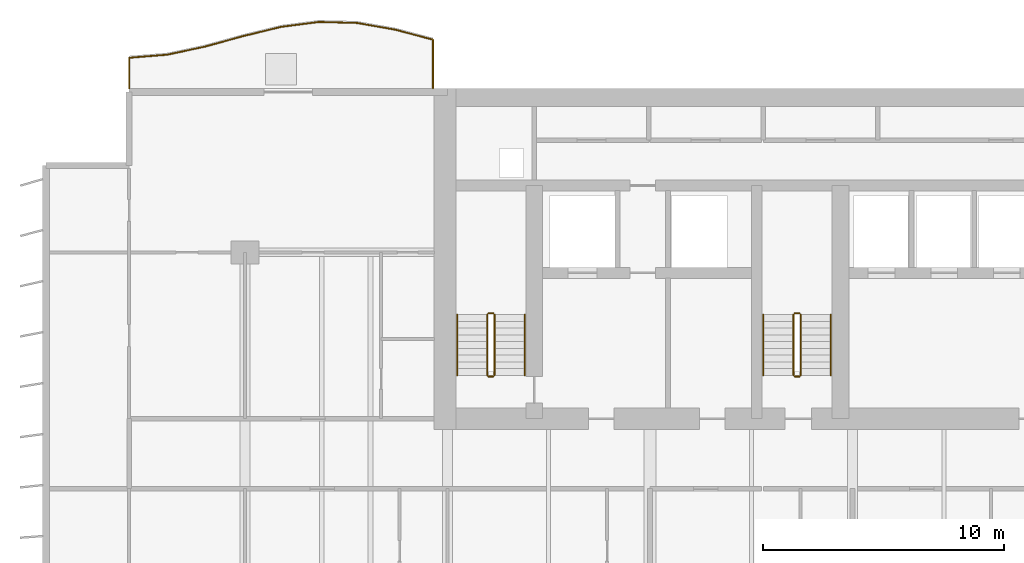
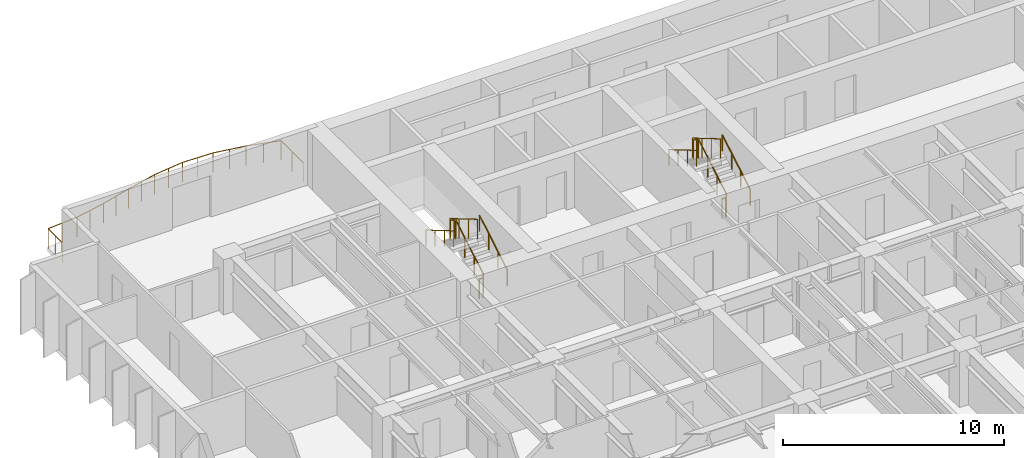
# One storey, part 16 of 18: 13 railings.
"""IFC4 building model written with IfcOpenShell, lengths in metres."""

import ifcopenshell
import ifcopenshell.guid

model = None  # the IFC model being written
_history = None  # IfcOwnerHistory: only IFC2X3 demands one
_inside = {}  # id of a spatial element -> (the spatial element, [elements in it])
_under = {}  # id of a project, library or spatial element -> (it, [spatial elements below it])
_declared = {}  # id of a project -> (the project, [libraries it declares])
_typed = {}  # id of a type object -> (the type object, [elements of that type])
_made_of = {}  # id of a material, layer set ... -> (it, [elements and type objects made of it])


def new_model(schema):
    """Start an empty IFC model of exactly this schema.

    Asked for "IFC4X3", IfcOpenShell would pick the latest addendum, in which some entities
    have other attributes; the version numbers below select the first issue.
    IFC2X3 requires an IfcOwnerHistory on every rooted entity: one is made here for all.
    """
    global model, _history
    if schema == "IFC4X3":
        model = ifcopenshell.file(schema_version=(4, 3, 0, 0))
    else:
        model = ifcopenshell.file(schema=schema)
    _inside.clear()
    _under.clear()
    _declared.clear()
    _typed.clear()
    _made_of.clear()
    _history = None
    if model.schema == "IFC2X3":
        org = make("IfcOrganization", Name="unknown")
        user = make(
            "IfcPersonAndOrganization",
            ThePerson=make("IfcPerson", FamilyName="unknown"),
            TheOrganization=org,
        )
        app = make(
            "IfcApplication",
            ApplicationDeveloper=org,
            Version="unknown",
            ApplicationFullName="unknown",
            ApplicationIdentifier="unknown",
        )
        _history = make(
            "IfcOwnerHistory",
            OwningUser=user,
            OwningApplication=app,
            ChangeAction="ADDED",
            CreationDate=0,
        )
    return model


def make(cls, **values):
    """One entity of the class cls with the attributes given. An attribute that is None is left unset."""
    return model.create_entity(
        cls, **{name: value for name, value in values.items() if value is not None}
    )


def rooted(cls, **values):
    """An entity with a GlobalId (a new one), such as an element, a storey or a relation."""
    return make(cls, GlobalId=ifcopenshell.guid.new(), OwnerHistory=_history, **values)


def si_unit(unit_type, name, prefix=None):
    """IfcSIUnit, for example si_unit("LENGTHUNIT", "METRE", prefix="MILLI")."""
    return make("IfcSIUnit", UnitType=unit_type, Prefix=prefix, Name=name)


def assignment(units):
    """IfcUnitAssignment: the units of a project."""
    return None if units is None else make("IfcUnitAssignment", Units=units)


def point(xyz):
    """IfcCartesianPoint."""
    return None if xyz is None else make("IfcCartesianPoint", Coordinates=xyz)


def direction(xyz):
    """IfcDirection."""
    return None if xyz is None else make("IfcDirection", DirectionRatios=xyz)


def frame(location, z_axis=None, x_axis=None):
    """IfcAxis2Placement3D, a coordinate frame: its origin and axes. An axis left out is left unset."""
    return make(
        "IfcAxis2Placement3D",
        Location=point(location),
        Axis=direction(z_axis),
        RefDirection=direction(x_axis),
    )


def frame_2d(location, x_axis=None):
    """IfcAxis2Placement2D, a coordinate frame in the plane: its origin and x axis."""
    return make(
        "IfcAxis2Placement2D", Location=point(location), RefDirection=direction(x_axis)
    )


def origin():
    """The frame at (0, 0, 0) with its axes left unset."""
    return frame((0.0, 0.0, 0.0))


def origin_2d():
    """The frame at (0, 0) in the plane with its x axis left unset."""
    return frame_2d((0.0, 0.0))


def place(relative_to, where):
    """IfcLocalPlacement: puts the frame where relative to a parent placement (None: the world)."""
    return make(
        "IfcLocalPlacement", PlacementRelTo=relative_to, RelativePlacement=where
    )


def context(
    kind, dimensions, precision=None, world=None, true_north=None, identifier=None
):
    """IfcGeometricRepresentationContext, for example the 3D "Model" context."""
    return make(
        "IfcGeometricRepresentationContext",
        ContextIdentifier=identifier,
        ContextType=kind,
        CoordinateSpaceDimension=dimensions,
        Precision=precision,
        WorldCoordinateSystem=world,
        TrueNorth=true_north,
    )


def subcontext(parent, identifier, kind, view, scale=None):
    """IfcGeometricRepresentationSubContext, for example "Body" below "Model"."""
    return make(
        "IfcGeometricRepresentationSubContext",
        ContextIdentifier=identifier,
        ContextType=kind,
        ParentContext=parent,
        TargetScale=scale,
        TargetView=view,
    )


def project(units=None, contexts=None):
    """IfcProject with its units and contexts."""
    return rooted(
        "IfcProject",
        Name="project",
        RepresentationContexts=contexts,
        UnitsInContext=assignment(units),
    )


def spatial(cls, under=None, at=None, **own):
    """A site, building, storey or space (cls), placed at a placement, below another one or the project."""
    s = rooted(cls, ObjectPlacement=at, **own)
    if under is not None:
        _under.setdefault(under.id(), (under, []))[1].append(s)
    return s


def profile(cls, at=None, kind="AREA", **sizes):
    """A parametric profile (cls). Its sizes go by their IFC names, for example OverallWidth=200.0."""
    return make(cls, ProfileType=kind, Position=at, **sizes)


def circle(**sizes):
    """IfcCircleProfileDef."""
    return profile("IfcCircleProfileDef", **sizes)


def extrude(swept, where, along, depth):
    """IfcExtrudedAreaSolid: the profile swept, set in the frame where, extruded along a direction by depth."""
    return make(
        "IfcExtrudedAreaSolid",
        SweptArea=swept,
        Position=where,
        ExtrudedDirection=direction(along),
        Depth=depth,
    )


def shape(context_of_items, identifier, shape_type, items):
    """IfcShapeRepresentation: the items that make up one representation, for example the "Body"."""
    return make(
        "IfcShapeRepresentation",
        ContextOfItems=context_of_items,
        RepresentationIdentifier=identifier,
        RepresentationType=shape_type,
        Items=items,
    )


def material(Name=None, Category=None):
    """IfcMaterial."""
    return make("IfcMaterial", Name=Name, Category=Category)


def made_of(thing, what):
    """Note that an element or type object is made of a material, layer set ...; save() writes the relation."""
    if what is not None:
        _made_of.setdefault(what.id(), (what, []))[1].append(thing)
    return thing


def type_object(cls, material=None, **own):
    """A type object (cls), such as IfcWallType, which elements share."""
    return made_of(rooted(cls, **own), material)


def element(
    cls,
    number,
    at=None,
    inside=None,
    cuts=None,
    type_object=None,
    material=None,
    context=None,
    identifier="Body",
    shape_type=None,
    held_by="IfcProductDefinitionShape",
    body=None,
    shapes=None,
    **own,
):
    """One element of the class cls, such as IfcWall. Its Tag is "e" and its number.

    at: its placement. inside: the storey or other place that contains it. cuts: it is an
    opening in that element (IfcRelVoidsElement). A single representation is given by context,
    identifier, shape_type and body (its items); several are given by shapes. held_by: the class
    of the entity that holds the representations. save() writes the other relations.
    """
    e = rooted(cls, Tag="e%d" % number, ObjectPlacement=at, **own)
    if body is not None:
        shapes = [shape(context, identifier, shape_type, body)]
    if shapes is not None:
        e.Representation = make(held_by, Representations=shapes)
    if inside is not None:
        _inside.setdefault(inside.id(), (inside, []))[1].append(e)
    if cuts is not None:
        rooted(
            "IfcRelVoidsElement", RelatingBuildingElement=cuts, RelatedOpeningElement=e
        )
    if type_object is not None:
        _typed.setdefault(type_object.id(), (type_object, []))[1].append(e)
    return made_of(e, material)


def aggregate(whole, parts):
    """IfcRelAggregates: a whole, such as a stair, and the parts it consists of."""
    return rooted("IfcRelAggregates", RelatingObject=whole, RelatedObjects=parts)


def save(model, path):
    """Write the relations noted so far, then the file.

    IfcRelAggregates (storeys below a building ...), IfcRelContainedInSpatialStructure (elements
    in a storey), IfcRelDefinesByType, IfcRelAssociatesMaterial and IfcRelDeclares: one each for
    every whole, place, type object, material and project.
    """
    for whole, parts in _under.values():
        aggregate(whole, parts)
    for where, things in _inside.values():
        rooted(
            "IfcRelContainedInSpatialStructure",
            RelatedElements=things,
            RelatingStructure=where,
        )
    for kind, things in _typed.values():
        rooted("IfcRelDefinesByType", RelatedObjects=things, RelatingType=kind)
    for what, things in _made_of.values():
        rooted("IfcRelAssociatesMaterial", RelatedObjects=things, RelatingMaterial=what)
    for by, libraries in _declared.values():
        rooted("IfcRelDeclares", RelatingContext=by, RelatedDefinitions=libraries)
    model.write(path)


model = new_model("IFC4")

# Units and contexts
model_context = context("Model", 3, precision=1e-05, world=origin(), true_north=direction((0.0, 1.0)))
body_context = subcontext(model_context, "Body", "Model", "MODEL_VIEW")
ifc_project = project(units=[si_unit("LENGTHUNIT", "METRE"), si_unit("AREAUNIT", "SQUARE_METRE"), si_unit("VOLUMEUNIT", "CUBIC_METRE"), si_unit("PLANEANGLEUNIT", "RADIAN"), si_unit("MASSUNIT", "GRAM", prefix="KILO")], contexts=[model_context])

# Site, building, storey
site_placement = place(None, origin())
site = spatial("IfcSite", under=ifc_project, at=site_placement, CompositionType="ELEMENT")
building_placement = place(site_placement, origin())
building = spatial("IfcBuilding", under=site, at=building_placement, Name="Caelmar Bay Residences", CompositionType="ELEMENT")
storey_placement = place(building_placement, frame((0.0, 0.0, 46.5)))
storey = spatial("IfcBuildingStorey", under=building, at=storey_placement, Name="L11", CompositionType="ELEMENT", Elevation=46.5)

# Railings
ifc_material_1 = material(Name="Anodised bronze handrail with laminated hurricane glass infill", Category="glass")
railing_type_1 = type_object("IfcRailingType", Name="RL-BAL-1100", PredefinedType="BALUSTRADE", material=ifc_material_1)
railing_1_placement = place(storey_placement, frame((17.699951171875, 50.60009765625, 0.0)))
element("IfcRailing", 1, at=railing_1_placement, inside=storey, type_object=railing_type_1, Name="L11 north_west Balcony Balustrade", PredefinedType="BALUSTRADE", context=body_context, shape_type="SweptSolid", body=[
    extrude(circle(Radius=0.02392578125, at=origin_2d()), frame((0.0, 0.0, 1.076171875), z_axis=(0.0, 1.0, 0.0), x_axis=(-1.0, 0.0, 0.0)), (0.0, 0.0, 1.0), 2.02001953125),
    extrude(circle(Radius=0.02392578125, at=origin_2d()), frame((0.0, 2.02001953125, 1.076171875), z_axis=(-0.96676517068, 0.255666002353, 0.0), x_axis=(-0.255666002353, -0.96676517068, 0.0)), (0.0, 0.0, 1.0), 1.629150390625),
    extrude(circle(Radius=0.02392578125, at=origin_2d()), frame((-1.574951171875, 2.4365234375, 1.076171875), z_axis=(-0.984950641335, 0.172835858935, 0.0), x_axis=(-0.172835858935, -0.984950641335, 0.0)), (0.0, 0.0, 1.0), 1.59912109375),
    extrude(circle(Radius=0.02392578125, at=origin_2d()), frame((-3.14990234375, 2.712890625, 1.076171875), z_axis=(-0.999632250239, 0.02711760096, 0.0), x_axis=(-0.02711760096, -0.999632250239, 0.0)), (0.0, 0.0, 1.0), 1.575439453125),
    extrude(circle(Radius=0.02392578125, at=origin_2d()), frame((-4.724853515625, 2.755615234375, 1.076171875), z_axis=(-0.991611548645, -0.129253768198, 0.0), x_axis=(0.129253768198, -0.991611548645, 0.0)), (0.0, 0.0, 1.0), 1.588623046875),
    extrude(circle(Radius=0.02392578125, at=origin_2d()), frame((-6.300048828125, 2.55029296875, 1.076171875), z_axis=(-0.971534712274, -0.236897241111, 0.0), x_axis=(0.236897241111, -0.971534712274, 0.0)), (0.0, 0.0, 1.0), 1.62109375),
    extrude(circle(Radius=0.02392578125, at=origin_2d()), frame((-7.875, 2.166259765625, 1.076171875), z_axis=(-0.964168126778, -0.265291958616, 0.0), x_axis=(0.265291958616, -0.964168126778, 0.0)), (0.0, 0.0, 1.0), 1.633544921875),
    extrude(circle(Radius=0.02392578125, at=origin_2d()), frame((-9.449951171875, 1.73291015625, 1.076171875), z_axis=(-0.977906557301, -0.209042496127, 0.0), x_axis=(0.209042496127, -0.977906557301, 0.0)), (0.0, 0.0, 1.0), 1.610595703125),
    extrude(circle(Radius=0.02392578125, at=origin_2d()), frame((-11.02490234375, 1.396240234375, 1.076171875), z_axis=(-0.99680396823, -0.079886475209, 0.0), x_axis=(0.079886475209, -0.99680396823, 0.0)), (0.0, 0.0, 1.0), 1.580078125),
    extrude(circle(Radius=0.02392578125, at=origin_2d()), frame((-12.599853515625, 1.27001953125, 1.076171875), z_axis=(0.0, -1.0, 0.0), x_axis=(1.0, 0.0, 0.0)), (0.0, 0.0, 1.0), 1.27001953125),
    extrude(circle(Radius=0.02099609375, at=origin_2d()), origin(), (0.0, 0.0, 1.0), 1.052001953125),
    extrude(circle(Radius=0.02099609375, at=origin_2d()), frame((0.0, 1.010009765625, 0.0)), (0.0, 0.0, 1.0), 1.052001953125),
    extrude(circle(Radius=0.02099609375, at=origin_2d()), frame((0.0, 2.02001953125, 0.0)), (0.0, 0.0, 1.0), 1.052001953125),
    extrude(circle(Radius=0.02099609375, at=origin_2d()), frame((-0.78759765625, 2.228271484375, 0.0)), (0.0, 0.0, 1.0), 1.052001953125),
    extrude(circle(Radius=0.02099609375, at=origin_2d()), frame((-1.574951171875, 2.4365234375, 0.0)), (0.0, 0.0, 1.0), 1.052001953125),
    extrude(circle(Radius=0.02099609375, at=origin_2d()), frame((-2.3623046875, 2.57470703125, 0.0)), (0.0, 0.0, 1.0), 1.052001953125),
    extrude(circle(Radius=0.02099609375, at=origin_2d()), frame((-3.14990234375, 2.712890625, 0.0)), (0.0, 0.0, 1.0), 1.052001953125),
    extrude(circle(Radius=0.02099609375, at=origin_2d()), frame((-3.9375, 2.734375, 0.0)), (0.0, 0.0, 1.0), 1.052001953125),
    extrude(circle(Radius=0.02099609375, at=origin_2d()), frame((-4.724853515625, 2.755615234375, 0.0)), (0.0, 0.0, 1.0), 1.052001953125),
    extrude(circle(Radius=0.02099609375, at=origin_2d()), frame((-5.512451171875, 2.65283203125, 0.0)), (0.0, 0.0, 1.0), 1.052001953125),
    extrude(circle(Radius=0.02099609375, at=origin_2d()), frame((-6.300048828125, 2.55029296875, 0.0)), (0.0, 0.0, 1.0), 1.052001953125),
    extrude(circle(Radius=0.02099609375, at=origin_2d()), frame((-7.08740234375, 2.3583984375, 0.0)), (0.0, 0.0, 1.0), 1.052001953125),
    extrude(circle(Radius=0.02099609375, at=origin_2d()), frame((-7.875, 2.166259765625, 0.0)), (0.0, 0.0, 1.0), 1.052001953125),
    extrude(circle(Radius=0.02099609375, at=origin_2d()), frame((-8.66259765625, 1.94970703125, 0.0)), (0.0, 0.0, 1.0), 1.052001953125),
    extrude(circle(Radius=0.02099609375, at=origin_2d()), frame((-9.449951171875, 1.73291015625, 0.0)), (0.0, 0.0, 1.0), 1.052001953125),
    extrude(circle(Radius=0.02099609375, at=origin_2d()), frame((-10.2373046875, 1.564453125, 0.0)), (0.0, 0.0, 1.0), 1.052001953125),
    extrude(circle(Radius=0.02099609375, at=origin_2d()), frame((-11.02490234375, 1.396240234375, 0.0)), (0.0, 0.0, 1.0), 1.052001953125),
    extrude(circle(Radius=0.02099609375, at=origin_2d()), frame((-11.8125, 1.3330078125, 0.0)), (0.0, 0.0, 1.0), 1.052001953125),
    extrude(circle(Radius=0.02099609375, at=origin_2d()), frame((-12.599853515625, 1.27001953125, 0.0)), (0.0, 0.0, 1.0), 1.052001953125),
    extrude(circle(Radius=0.02099609375, at=origin_2d()), frame((-12.599853515625, 0.635009765625, 0.0)), (0.0, 0.0, 1.0), 1.052001953125),
    extrude(circle(Radius=0.02099609375, at=origin_2d()), frame((-12.599853515625, 0.0, 0.0)), (0.0, 0.0, 1.0), 1.052001953125),
])
ifc_material_2 = material(Name="Painted galvanized steel stair guard 1100 mm", Category="steel")
railing_type_2 = type_object("IfcRailingType", Name="RL-GRD-1100", PredefinedType="GUARDRAIL", material=ifc_material_2)
railing_2_placement = place(storey_placement, frame((20.25, 38.699951171875, 0.1650390625)))
element("IfcRailing", 2, at=railing_2_placement, inside=storey, type_object=railing_type_2, Name="L11 ST1 stair guard 1", PredefinedType="GUARDRAIL", context=body_context, shape_type="SweptSolid", body=[
    extrude(circle(Radius=0.02392578125, at=origin_2d()), frame((0.0, 0.0, 1.076171875), z_axis=(0.0, 0.861560626758, 0.507654692109), x_axis=(-1.0, 0.0, 0.0)), (0.0, 0.0, 1.0), 2.925048828125),
    extrude(circle(Radius=0.02099609375, at=origin_2d()), origin(), (0.0, 0.0, 1.0), 1.052001953125),
    extrude(circle(Radius=0.02099609375, at=origin_2d()), frame((0.0, 0.840087890625, 0.494873046875)), (0.0, 0.0, 1.0), 1.052001953125),
    extrude(circle(Radius=0.02099609375, at=origin_2d()), frame((0.0, 1.679931640625, 0.989990234375)), (0.0, 0.0, 1.0), 1.052001953125),
    extrude(circle(Radius=0.02099609375, at=origin_2d()), frame((0.0, 2.52001953125, 1.48486328125)), (0.0, 0.0, 1.0), 1.052001953125),
])
railing_3_placement = place(storey_placement, frame((20.199951171875, 41.27001953125, 1.64990234375)))
element("IfcRailing", 3, at=railing_3_placement, inside=storey, type_object=railing_type_2, Name="L11 ST1 stair guard 2", PredefinedType="GUARDRAIL", context=body_context, shape_type="SweptSolid", body=[
    extrude(circle(Radius=0.02392578125, at=origin_2d()), frame((0.0, 0.0, 1.076171875), z_axis=(-1.0, 0.0, 0.0), x_axis=(0.0, -1.0, 0.0)), (0.0, 0.0, 1.0), 0.199951171875),
    extrude(circle(Radius=0.02099609375, at=origin_2d()), origin(), (0.0, 0.0, 1.0), 1.052001953125),
    extrude(circle(Radius=0.02099609375, at=origin_2d()), frame((-0.199951171875, 0.0, 0.0)), (0.0, 0.0, 1.0), 1.052001953125),
])
railing_4_placement = place(storey_placement, frame((19.949951171875, 41.219970703125, 1.81494140625)))
element("IfcRailing", 4, at=railing_4_placement, inside=storey, type_object=railing_type_2, Name="L11 ST1 stair guard 3", PredefinedType="GUARDRAIL", context=body_context, shape_type="SweptSolid", body=[
    extrude(circle(Radius=0.02392578125, at=origin_2d()), frame((0.0, 0.0, 1.076171875), z_axis=(0.0, -0.86152411907, 0.507716645641), x_axis=(1.0, 0.0, 0.0)), (0.0, 0.0, 1.0), 2.925048828125),
    extrude(circle(Radius=0.02099609375, at=origin_2d()), origin(), (0.0, 0.0, 1.0), 1.052001953125),
    extrude(circle(Radius=0.02099609375, at=origin_2d()), frame((0.0, -0.840087890625, 0.4951171875)), (0.0, 0.0, 1.0), 1.052001953125),
    extrude(circle(Radius=0.02099609375, at=origin_2d()), frame((0.0, -1.679931640625, 0.989990234375)), (0.0, 0.0, 1.0), 1.052001953125),
    extrude(circle(Radius=0.02099609375, at=origin_2d()), frame((0.0, -2.52001953125, 1.485107421875)), (0.0, 0.0, 1.0), 1.052001953125),
])
railing_5_placement = place(storey_placement, frame((20.199951171875, 38.64990234375, 0.0)))
element("IfcRailing", 5, at=railing_5_placement, inside=storey, type_object=railing_type_2, Name="L11 ST1 stair guard 4", PredefinedType="GUARDRAIL", context=body_context, shape_type="SweptSolid", body=[
    extrude(circle(Radius=0.02392578125, at=origin_2d()), frame((0.0, 0.0, 1.076171875), z_axis=(-1.0, 0.0, 0.0), x_axis=(0.0, -1.0, 0.0)), (0.0, 0.0, 1.0), 0.199951171875),
    extrude(circle(Radius=0.02099609375, at=origin_2d()), origin(), (0.0, 0.0, 1.0), 1.052001953125),
    extrude(circle(Radius=0.02099609375, at=origin_2d()), frame((-0.199951171875, 0.0, 0.0)), (0.0, 0.0, 1.0), 1.052001953125),
])
railing_6_placement = place(storey_placement, frame((32.949951171875, 38.699951171875, 0.1650390625)))
element("IfcRailing", 6, at=railing_6_placement, inside=storey, type_object=railing_type_2, Name="L11 ST3 stair guard 1", PredefinedType="GUARDRAIL", context=body_context, shape_type="SweptSolid", body=[
    extrude(circle(Radius=0.02392578125, at=origin_2d()), frame((0.0, 0.0, 1.076171875), z_axis=(0.0, 0.861560626758, 0.507654692109), x_axis=(-1.0, 0.0, 0.0)), (0.0, 0.0, 1.0), 2.925048828125),
    extrude(circle(Radius=0.02099609375, at=origin_2d()), origin(), (0.0, 0.0, 1.0), 1.052001953125),
    extrude(circle(Radius=0.02099609375, at=origin_2d()), frame((0.0, 0.840087890625, 0.494873046875)), (0.0, 0.0, 1.0), 1.052001953125),
    extrude(circle(Radius=0.02099609375, at=origin_2d()), frame((0.0, 1.679931640625, 0.989990234375)), (0.0, 0.0, 1.0), 1.052001953125),
    extrude(circle(Radius=0.02099609375, at=origin_2d()), frame((0.0, 2.52001953125, 1.48486328125)), (0.0, 0.0, 1.0), 1.052001953125),
])
railing_7_placement = place(storey_placement, frame((32.89990234375, 41.27001953125, 1.64990234375)))
element("IfcRailing", 7, at=railing_7_placement, inside=storey, type_object=railing_type_2, Name="L11 ST3 stair guard 2", PredefinedType="GUARDRAIL", context=body_context, shape_type="SweptSolid", body=[
    extrude(circle(Radius=0.02392578125, at=origin_2d()), frame((0.0, 0.0, 1.076171875), z_axis=(-1.0, 0.0, 0.0), x_axis=(0.0, -1.0, 0.0)), (0.0, 0.0, 1.0), 0.199951171875),
    extrude(circle(Radius=0.02099609375, at=origin_2d()), origin(), (0.0, 0.0, 1.0), 1.052001953125),
    extrude(circle(Radius=0.02099609375, at=origin_2d()), frame((-0.199951171875, 0.0, 0.0)), (0.0, 0.0, 1.0), 1.052001953125),
])
railing_8_placement = place(storey_placement, frame((32.64990234375, 41.219970703125, 1.81494140625)))
element("IfcRailing", 8, at=railing_8_placement, inside=storey, type_object=railing_type_2, Name="L11 ST3 stair guard 3", PredefinedType="GUARDRAIL", context=body_context, shape_type="SweptSolid", body=[
    extrude(circle(Radius=0.02392578125, at=origin_2d()), frame((0.0, 0.0, 1.076171875), z_axis=(0.0, -0.86152411907, 0.507716645641), x_axis=(1.0, 0.0, 0.0)), (0.0, 0.0, 1.0), 2.925048828125),
    extrude(circle(Radius=0.02099609375, at=origin_2d()), origin(), (0.0, 0.0, 1.0), 1.052001953125),
    extrude(circle(Radius=0.02099609375, at=origin_2d()), frame((0.0, -0.840087890625, 0.4951171875)), (0.0, 0.0, 1.0), 1.052001953125),
    extrude(circle(Radius=0.02099609375, at=origin_2d()), frame((0.0, -1.679931640625, 0.989990234375)), (0.0, 0.0, 1.0), 1.052001953125),
    extrude(circle(Radius=0.02099609375, at=origin_2d()), frame((0.0, -2.52001953125, 1.485107421875)), (0.0, 0.0, 1.0), 1.052001953125),
])
railing_9_placement = place(storey_placement, frame((32.89990234375, 38.64990234375, 0.0)))
element("IfcRailing", 9, at=railing_9_placement, inside=storey, type_object=railing_type_2, Name="L11 ST3 stair guard 4", PredefinedType="GUARDRAIL", context=body_context, shape_type="SweptSolid", body=[
    extrude(circle(Radius=0.02392578125, at=origin_2d()), frame((0.0, 0.0, 1.076171875), z_axis=(-1.0, 0.0, 0.0), x_axis=(0.0, -1.0, 0.0)), (0.0, 0.0, 1.0), 0.199951171875),
    extrude(circle(Radius=0.02099609375, at=origin_2d()), origin(), (0.0, 0.0, 1.0), 1.052001953125),
    extrude(circle(Radius=0.02099609375, at=origin_2d()), frame((-0.199951171875, 0.0, 0.0)), (0.0, 0.0, 1.0), 1.052001953125),
])
ifc_material_3 = material(Name="Brushed bronze stainless-steel tubular handrail 900 mm", Category="steel")
railing_type_3 = type_object("IfcRailingType", Name="RL-HND-900", PredefinedType="HANDRAIL", material=ifc_material_3)
railing_10_placement = place(storey_placement, frame((21.5, 38.699951171875, 0.1650390625)))
element("IfcRailing", 10, at=railing_10_placement, inside=storey, type_object=railing_type_3, Name="L11 ST1 stair handrail 1", PredefinedType="HANDRAIL", context=body_context, shape_type="SweptSolid", body=[
    extrude(circle(Radius=0.02392578125, at=origin_2d()), frame((0.0, 0.0, 0.8759765625), z_axis=(0.0, 0.861560626758, 0.507654692109), x_axis=(-1.0, 0.0, 0.0)), (0.0, 0.0, 1.0), 2.925048828125),
    extrude(circle(Radius=0.02099609375, at=origin_2d()), origin(), (0.0, 0.0, 1.0), 0.851806640625),
    extrude(circle(Radius=0.02099609375, at=origin_2d()), frame((0.0, 0.840087890625, 0.494873046875)), (0.0, 0.0, 1.0), 0.851806640625),
    extrude(circle(Radius=0.02099609375, at=origin_2d()), frame((0.0, 1.679931640625, 0.989990234375)), (0.0, 0.0, 1.0), 0.851806640625),
    extrude(circle(Radius=0.02099609375, at=origin_2d()), frame((0.0, 2.52001953125, 1.48486328125)), (0.0, 0.0, 1.0), 0.851806640625),
])
railing_11_placement = place(storey_placement, frame((18.699951171875, 41.219970703125, 1.81494140625)))
element("IfcRailing", 11, at=railing_11_placement, inside=storey, type_object=railing_type_3, Name="L11 ST1 stair handrail 2", PredefinedType="HANDRAIL", context=body_context, shape_type="SweptSolid", body=[
    extrude(circle(Radius=0.02392578125, at=origin_2d()), frame((0.0, 0.0, 0.8759765625), z_axis=(0.0, -0.86152411907, 0.507716645641), x_axis=(1.0, 0.0, 0.0)), (0.0, 0.0, 1.0), 2.925048828125),
    extrude(circle(Radius=0.02099609375, at=origin_2d()), origin(), (0.0, 0.0, 1.0), 0.851806640625),
    extrude(circle(Radius=0.02099609375, at=origin_2d()), frame((0.0, -0.840087890625, 0.4951171875)), (0.0, 0.0, 1.0), 0.851806640625),
    extrude(circle(Radius=0.02099609375, at=origin_2d()), frame((0.0, -1.679931640625, 0.989990234375)), (0.0, 0.0, 1.0), 0.851806640625),
    extrude(circle(Radius=0.02099609375, at=origin_2d()), frame((0.0, -2.52001953125, 1.485107421875)), (0.0, 0.0, 1.0), 0.851806640625),
])
railing_12_placement = place(storey_placement, frame((34.199951171875, 38.699951171875, 0.1650390625)))
element("IfcRailing", 12, at=railing_12_placement, inside=storey, type_object=railing_type_3, Name="L11 ST3 stair handrail 1", PredefinedType="HANDRAIL", context=body_context, shape_type="SweptSolid", body=[
    extrude(circle(Radius=0.02392578125, at=origin_2d()), frame((0.0, 0.0, 0.8759765625), z_axis=(0.0, 0.861560626758, 0.507654692109), x_axis=(-1.0, 0.0, 0.0)), (0.0, 0.0, 1.0), 2.925048828125),
    extrude(circle(Radius=0.02099609375, at=origin_2d()), origin(), (0.0, 0.0, 1.0), 0.851806640625),
    extrude(circle(Radius=0.02099609375, at=origin_2d()), frame((0.0, 0.840087890625, 0.494873046875)), (0.0, 0.0, 1.0), 0.851806640625),
    extrude(circle(Radius=0.02099609375, at=origin_2d()), frame((0.0, 1.679931640625, 0.989990234375)), (0.0, 0.0, 1.0), 0.851806640625),
    extrude(circle(Radius=0.02099609375, at=origin_2d()), frame((0.0, 2.52001953125, 1.48486328125)), (0.0, 0.0, 1.0), 0.851806640625),
])
railing_13_placement = place(storey_placement, frame((31.39990234375, 41.219970703125, 1.81494140625)))
element("IfcRailing", 13, at=railing_13_placement, inside=storey, type_object=railing_type_3, Name="L11 ST3 stair handrail 2", PredefinedType="HANDRAIL", context=body_context, shape_type="SweptSolid", body=[
    extrude(circle(Radius=0.02392578125, at=origin_2d()), frame((0.0, 0.0, 0.8759765625), z_axis=(0.0, -0.86152411907, 0.507716645641), x_axis=(1.0, 0.0, 0.0)), (0.0, 0.0, 1.0), 2.925048828125),
    extrude(circle(Radius=0.02099609375, at=origin_2d()), origin(), (0.0, 0.0, 1.0), 0.851806640625),
    extrude(circle(Radius=0.02099609375, at=origin_2d()), frame((0.0, -0.840087890625, 0.4951171875)), (0.0, 0.0, 1.0), 0.851806640625),
    extrude(circle(Radius=0.02099609375, at=origin_2d()), frame((0.0, -1.679931640625, 0.989990234375)), (0.0, 0.0, 1.0), 0.851806640625),
    extrude(circle(Radius=0.02099609375, at=origin_2d()), frame((0.0, -2.52001953125, 1.485107421875)), (0.0, 0.0, 1.0), 0.851806640625),
])

save(model, "model.ifc")
